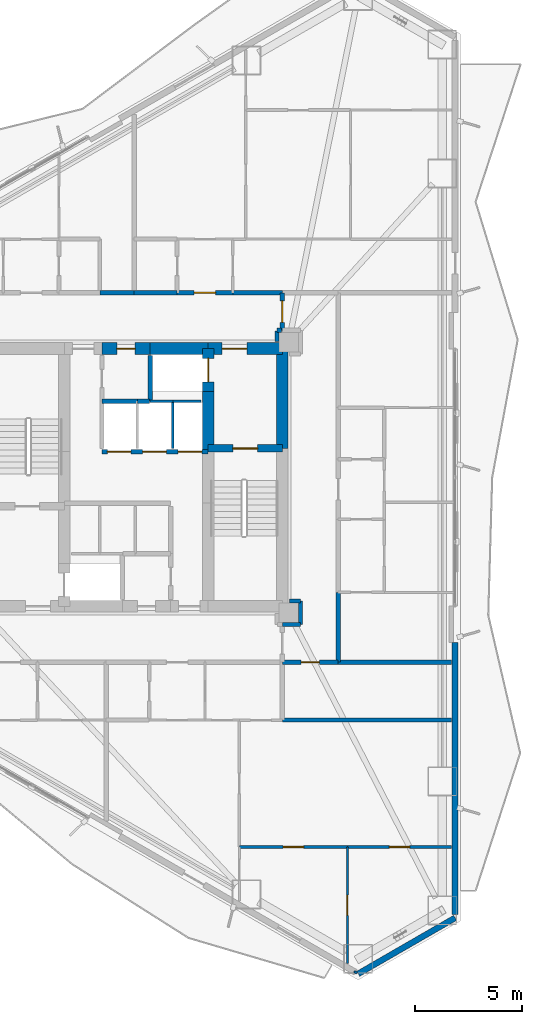
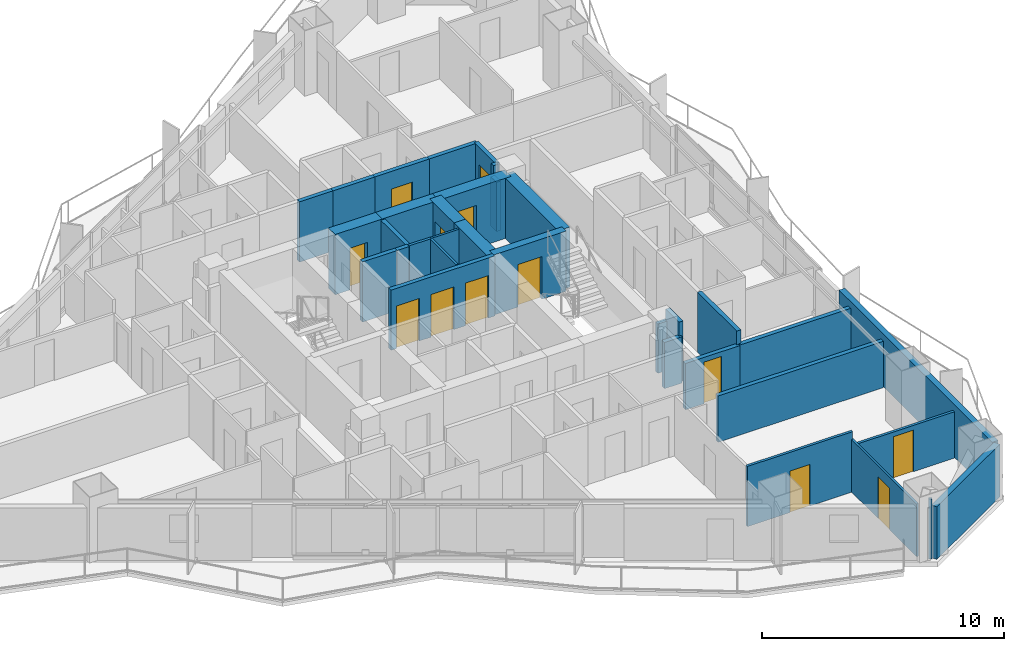
# One storey, part 14 of 18: 34 walls, 13 doors, 13 openings.
"""IFC4 building model written with IfcOpenShell, lengths in metres."""

from ifc_helpers import new_model, si_unit, direction, frame, frame_2d, origin, place, context, subcontext, project, spatial, rectangle, extrude, material, layer, layer_set, type_object, element, fill, save


model = new_model("IFC4")

# Units and contexts
model_context = context("Model", 3, precision=1e-05, world=origin(), true_north=direction((0.0, 1.0)))
body_context = subcontext(model_context, "Body", "Model", "MODEL_VIEW")
ifc_project = project(units=[si_unit("LENGTHUNIT", "METRE"), si_unit("AREAUNIT", "SQUARE_METRE"), si_unit("VOLUMEUNIT", "CUBIC_METRE"), si_unit("PLANEANGLEUNIT", "RADIAN"), si_unit("MASSUNIT", "GRAM", prefix="KILO")], contexts=[model_context])

# Site, building, storey
site_placement = place(None, origin())
site = spatial("IfcSite", under=ifc_project, at=site_placement, CompositionType="ELEMENT")
building_placement = place(site_placement, origin())
building = spatial("IfcBuilding", under=site, at=building_placement, Name="Mersakhor Tower and Convention Hall", CompositionType="ELEMENT")
storey_placement = place(building_placement, frame((0.0, 0.0, 32.39990234375)))
storey = spatial("IfcBuildingStorey", under=building, at=storey_placement, Name="L08", CompositionType="ELEMENT", Elevation=32.39990234375)

# Walls
ifc_material_1 = material(Name="Precast concrete C45/55", Category="concrete")
ifc_layer_1 = layer(ifc_material_1, 0.27490234375)
ifc_layer_set_1 = layer_set([ifc_layer_1], Name="Precast concrete C45/55")
wall_type_1 = type_object("IfcWallType", Name="WL-EXT-275", PredefinedType="SOLIDWALL", material=ifc_layer_set_1)
wall_1_placement = place(storey_placement, frame((43.85009765625, 6.240234375, 0.0), z_axis=(0.0, 0.0, 1.0), x_axis=(-0.866043601342, -0.499968479581, 0.0)))
element("IfcWall", 1, at=wall_1_placement, inside=storey, type_object=wall_type_1, Name="L08 Chamfer Braced Spandrel Wall C2", PredefinedType="SOLIDWALL", context=body_context, shape_type="SweptSolid", body=[
    extrude(rectangle(XDim=5.211181640625, YDim=0.27490234375, at=frame_2d((2.60546875, 0.0))), origin(), (0.0, 0.0, 1.0), 2.66015625),
])
wall_2_placement = place(storey_placement, frame((43.85009765625, 19.0634765625, 0.0), z_axis=(0.0, 0.0, 1.0), x_axis=(0.0, -1.0, 0.0)))
element("IfcWall", 2, at=wall_2_placement, inside=storey, type_object=wall_type_1, Name="L08 Exterior Facade Wall F2-B3", PredefinedType="SOLIDWALL", context=body_context, shape_type="SweptSolid", body=[
    extrude(rectangle(XDim=12.673095703125, YDim=0.27490234375, at=frame_2d((6.33642578125, 0.0))), origin(), (0.0, 0.0, 1.0), 2.66015625),
])
ifc_material_2 = material(Name="Lightweight gypsum partition", Category="other")
ifc_layer_2 = layer(ifc_material_2, 0.10009765625)
ifc_layer_set_2 = layer_set([ifc_layer_2], Name="Lightweight gypsum partition")
wall_type_2 = type_object("IfcWallType", Name="WL-PRT-100", PredefinedType="PARTITIONING", material=ifc_layer_set_2)
wall_3_placement = place(storey_placement, frame((32.02490234375, 30.300048828125, 0.0), z_axis=(0.0, 0.0, 1.0), x_axis=(-1.0, 0.0, 0.0)))
element("IfcWall", 3, at=wall_3_placement, inside=storey, type_object=wall_type_2, Name="L08 Interior Partition Wall P-004", PredefinedType="PARTITIONING", context=body_context, shape_type="SweptSolid", body=[
    extrude(rectangle(XDim=1.324951171875, YDim=0.10009765625, at=frame_2d((0.66259765625, 0.0))), origin(), (0.0, 0.0, 1.0), 3.0400390625),
])
wall_4_placement = place(storey_placement, frame((30.699951171875, 30.300048828125, 0.0), z_axis=(0.0, 0.0, 1.0), x_axis=(0.0, -1.0, 0.0)))
element("IfcWall", 4, at=wall_4_placement, inside=storey, type_object=wall_type_2, Name="L08 Interior Partition Wall P-016", PredefinedType="PARTITIONING", context=body_context, shape_type="SweptSolid", body=[
    extrude(rectangle(XDim=2.199951171875, YDim=0.10009765625, at=frame_2d((1.10009765625, 0.0))), origin(), (0.0, 0.0, 1.0), 3.0400390625),
])

# Wall, opening, door
wall_5_placement = place(storey_placement, frame((38.830078125, 9.5400390625, 0.0), z_axis=(0.0, 0.0, 1.0), x_axis=(0.0, -1.0, 0.0)))
wall_5 = element("IfcWall", 5, at=wall_5_placement, inside=storey, type_object=wall_type_2, Name="L08 Interior Partition Wall P-136", PredefinedType="PARTITIONING", context=body_context, shape_type="SweptSolid", body=[
    extrude(rectangle(XDim=5.42626953125, YDim=0.10009765625, at=frame_2d((2.713134765625, 0.0))), origin(), (0.0, 0.0, 1.0), 2.650390625),
])
opening_1_placement = place(wall_5_placement, frame((2.238037109375, 0.0, 0.0)))
opening_1 = element("IfcOpeningElement", 6, at=opening_1_placement, cuts=wall_5, Name="Opening RD-01", PredefinedType="OPENING", context=body_context, shape_type="SweptSolid", body=[
    extrude(rectangle(XDim=0.949951171875, YDim=2.10009765625, at=frame_2d((0.47509765625, 1.050048828125))), frame((0.0, 0.06005859375, 0.0), z_axis=(0.0, -1.0, 0.0), x_axis=(1.0, 0.0, 0.0)), (0.0, 0.0, 1.0), 0.1201171875),
])
ifc_material_3 = material(Name="Solid-core hardwood leaf in painted steel frame", Category="steel")
door_type_1 = type_object("IfcDoorType", Name="DR-INT-RM-095x210", OperationType="NOTDEFINED", PredefinedType="DOOR", material=ifc_material_3)
door_1_placement = place(opening_1_placement, origin())
door_1 = element("IfcDoor", 7, at=door_1_placement, inside=storey, type_object=door_type_1, Name="L08 L08 Flat S4 Bedroom 1 to L08 Flat S4 Study Room Door", OperationType="SINGLE_SWING_LEFT", OverallHeight=2.10009765625, OverallWidth=0.949951171875, PredefinedType="DOOR", context=body_context, shape_type="SweptSolid", body=[
    extrude(rectangle(XDim=0.949951171875, YDim=2.10009765625, at=frame_2d((0.47509765625, 1.050048828125))), frame((0.0, 0.02490234375, 0.0), z_axis=(0.0, -1.0, 0.0), x_axis=(1.0, 0.0, 0.0)), (0.0, 0.0, 1.0), 0.050048828125),
])
fill(opening_1, door_1)

# Walls
wall_6_placement = place(storey_placement, frame((39.2724609375, 3.672119140625, 0.0), z_axis=(0.0, 0.0, 1.0), x_axis=(-0.866442544969, 0.49927679324, 0.0)))
element("IfcWall", 8, at=wall_6_placement, inside=storey, type_object=wall_type_2, Name="L08 Interior Partition Wall P-138", PredefinedType="PARTITIONING", context=body_context, shape_type="SweptSolid", body=[
    extrude(rectangle(XDim=0.142333984375, YDim=0.10009765625, at=frame_2d((0.0712890625, 0.0))), origin(), (0.0, 0.0, 1.0), 3.0400390625),
])
ifc_material_4 = material(Name="Gypsum board acoustic partition", Category="other")
ifc_layer_3 = layer(ifc_material_4, 0.125)
ifc_layer_set_3 = layer_set([ifc_layer_3], Name="Gypsum board acoustic partition")
wall_type_3 = type_object("IfcWallType", Name="WL-PRT-125", PredefinedType="PARTITIONING", material=ifc_layer_set_3)
wall_7_placement = place(storey_placement, frame((30.699951171875, 30.300048828125, 0.0), z_axis=(0.0, 0.0, 1.0), x_axis=(-1.0, 0.0, 0.0)))
element("IfcWall", 9, at=wall_7_placement, inside=storey, type_object=wall_type_3, Name="L08 Interior Partition Wall P-005", PredefinedType="PARTITIONING", context=body_context, shape_type="SweptSolid", body=[
    extrude(rectangle(XDim=1.050048828125, YDim=0.125, at=frame_2d((0.52490234375, 0.0))), origin(), (0.0, 0.0, 1.0), 3.0400390625),
])

# Wall, opening, door
wall_8_placement = place(storey_placement, frame((33.800048828125, 9.5400390625, 0.0), z_axis=(0.0, 0.0, 1.0), x_axis=(1.0, 0.0, 0.0)))
wall_8 = element("IfcWall", 10, at=wall_8_placement, inside=storey, type_object=wall_type_3, Name="L08 Interior Partition Wall P-135", PredefinedType="PARTITIONING", context=body_context, shape_type="SweptSolid", body=[
    extrude(rectangle(XDim=5.030029296875, YDim=0.125, at=frame_2d((2.51513671875, 0.0))), origin(), (0.0, 0.0, 1.0), 3.0400390625),
])
opening_2_placement = place(wall_8_placement, frame((2.0400390625, 0.0, 0.0)))
opening_2 = element("IfcOpeningElement", 11, at=opening_2_placement, cuts=wall_8, Name="Opening RD-01", PredefinedType="OPENING", context=body_context, shape_type="SweptSolid", body=[
    extrude(rectangle(XDim=0.949951171875, YDim=2.10009765625, at=frame_2d((0.47509765625, 1.050048828125))), frame((0.0, 0.072509765625, 0.0), z_axis=(0.0, -1.0, 0.0), x_axis=(1.0, 0.0, 0.0)), (0.0, 0.0, 1.0), 0.14501953125),
])
door_2_placement = place(opening_2_placement, origin())
door_2 = element("IfcDoor", 12, at=door_2_placement, inside=storey, type_object=door_type_1, Name="L08 L08 Flat S4 Bedroom 1 to L08 Flat S4 Dining Room Door", OperationType="SINGLE_SWING_RIGHT", OverallHeight=2.10009765625, OverallWidth=0.949951171875, PredefinedType="DOOR", context=body_context, shape_type="SweptSolid", body=[
    extrude(rectangle(XDim=0.949951171875, YDim=2.10009765625, at=frame_2d((0.47509765625, 1.050048828125))), frame((0.0, 0.02490234375, 0.0), z_axis=(0.0, -1.0, 0.0), x_axis=(1.0, 0.0, 0.0)), (0.0, 0.0, 1.0), 0.050048828125),
])
fill(opening_2, door_2)

wall_9_placement = place(storey_placement, frame((38.830078125, 9.5400390625, 0.0), z_axis=(0.0, 0.0, 1.0), x_axis=(1.0, 0.0, 0.0)))
wall_9 = element("IfcWall", 13, at=wall_9_placement, inside=storey, type_object=wall_type_3, Name="L08 Interior Partition Wall P-137", PredefinedType="PARTITIONING", context=body_context, shape_type="SweptSolid", body=[
    extrude(rectangle(XDim=4.8583984375, YDim=0.125, at=frame_2d((2.42919921875, 0.0))), origin(), (0.0, 0.0, 1.0), 2.337646484375),
])
opening_3_placement = place(wall_9_placement, frame((1.9541015625, 0.0, 0.0)))
opening_3 = element("IfcOpeningElement", 14, at=opening_3_placement, cuts=wall_9, Name="Opening RD-01", PredefinedType="OPENING", context=body_context, shape_type="SweptSolid", body=[
    extrude(rectangle(XDim=0.949951171875, YDim=2.10009765625, at=frame_2d((0.47509765625, 1.050048828125))), frame((0.0, 0.072509765625, 0.0), z_axis=(0.0, -1.0, 0.0), x_axis=(1.0, 0.0, 0.0)), (0.0, 0.0, 1.0), 0.14501953125),
])
door_3_placement = place(opening_3_placement, origin())
door_3 = element("IfcDoor", 15, at=door_3_placement, inside=storey, type_object=door_type_1, Name="L08 L08 Flat S4 Study Room to L08 Flat S4 Dining Room Door", OperationType="SINGLE_SWING_LEFT", OverallHeight=2.10009765625, OverallWidth=0.949951171875, PredefinedType="DOOR", context=body_context, shape_type="SweptSolid", body=[
    extrude(rectangle(XDim=0.949951171875, YDim=2.10009765625, at=frame_2d((0.47509765625, 1.050048828125))), frame((0.0, 0.02490234375, 0.0), z_axis=(0.0, -1.0, 0.0), x_axis=(1.0, 0.0, 0.0)), (0.0, 0.0, 1.0), 0.050048828125),
])
fill(opening_3, door_3)

# Wall, openings, doors
ifc_material_5 = material(Name="Acoustic concrete blockwork and gypsum board", Category="masonry")
ifc_layer_4 = layer(ifc_material_5, 0.199951171875)
ifc_layer_set_4 = layer_set([ifc_layer_4], Name="Acoustic concrete blockwork and gypsum board")
wall_type_4 = type_object("IfcWallType", Name="WL-PRT-200", PredefinedType="PARTITIONING", material=ifc_layer_set_4)
wall_10_placement = place(storey_placement, frame((27.39990234375, 27.949951171875, 0.0), z_axis=(0.0, 0.0, 1.0), x_axis=(1.0, 0.0, 0.0)))
wall_10 = element("IfcWall", 16, at=wall_10_placement, inside=storey, type_object=wall_type_4, Name="L08 Low-Rise Lift Bank Front Wall", PredefinedType="PARTITIONING", context=body_context, shape_type="SweptSolid", body=[
    extrude(rectangle(XDim=4.9501953125, YDim=0.199951171875, at=frame_2d((2.47509765625, 0.0))), origin(), (0.0, 0.0, 1.0), 3.0400390625),
])
opening_4_placement = place(wall_10_placement, frame((0.25, 0.0, 0.0)))
opening_4 = element("IfcOpeningElement", 17, at=opening_4_placement, cuts=wall_10, Name="Opening LD-P1", PredefinedType="OPENING", context=body_context, shape_type="SweptSolid", body=[
    extrude(rectangle(XDim=1.10009765625, YDim=2.14990234375, at=frame_2d((0.550048828125, 1.074951171875))), frame((0.0, 0.10986328125, 0.0), z_axis=(0.0, -1.0, 0.0), x_axis=(1.0, 0.0, 0.0)), (0.0, 0.0, 1.0), 0.219970703125),
])
opening_5_placement = place(wall_10_placement, frame((1.89990234375, 0.0, 0.0)))
opening_5 = element("IfcOpeningElement", 18, at=opening_5_placement, cuts=wall_10, Name="Opening LD-P2", PredefinedType="OPENING", context=body_context, shape_type="SweptSolid", body=[
    extrude(rectangle(XDim=1.10009765625, YDim=2.14990234375, at=frame_2d((0.550048828125, 1.074951171875))), frame((0.0, 0.10986328125, 0.0), z_axis=(0.0, -1.0, 0.0), x_axis=(1.0, 0.0, 0.0)), (0.0, 0.0, 1.0), 0.219970703125),
])
opening_6_placement = place(wall_10_placement, frame((3.550048828125, 0.0, 0.0)))
opening_6 = element("IfcOpeningElement", 19, at=opening_6_placement, cuts=wall_10, Name="Opening LD-P3", PredefinedType="OPENING", context=body_context, shape_type="SweptSolid", body=[
    extrude(rectangle(XDim=1.10009765625, YDim=2.14990234375, at=frame_2d((0.550048828125, 1.074951171875))), frame((0.0, 0.10986328125, 0.0), z_axis=(0.0, -1.0, 0.0), x_axis=(1.0, 0.0, 0.0)), (0.0, 0.0, 1.0), 0.219970703125),
])
ifc_material_6 = material(Name="Fire-rated brushed stainless steel sliding landing door", Category="steel")
door_type_2 = type_object("IfcDoorType", Name="DR-LIFT-SLD-110x215", OperationType="NOTDEFINED", PredefinedType="DOOR", material=ifc_material_6)
door_4_placement = place(opening_4_placement, origin())
door_4 = element("IfcDoor", 20, at=door_4_placement, inside=storey, type_object=door_type_2, Name="L08 Lift Landing Door LD-P1", OperationType="SLIDING_TO_LEFT", OverallHeight=2.14990234375, OverallWidth=1.10009765625, PredefinedType="DOOR", context=body_context, shape_type="SweptSolid", body=[
    extrude(rectangle(XDim=1.10009765625, YDim=2.14990234375, at=frame_2d((0.550048828125, 1.074951171875))), frame((0.0, 0.02490234375, 0.0), z_axis=(0.0, -1.0, 0.0), x_axis=(1.0, 0.0, 0.0)), (0.0, 0.0, 1.0), 0.050048828125),
])
fill(opening_4, door_4)
door_5_placement = place(opening_5_placement, origin())
door_5 = element("IfcDoor", 21, at=door_5_placement, inside=storey, type_object=door_type_2, Name="L08 Lift Landing Door LD-P2", OperationType="SLIDING_TO_LEFT", OverallHeight=2.14990234375, OverallWidth=1.10009765625, PredefinedType="DOOR", context=body_context, shape_type="SweptSolid", body=[
    extrude(rectangle(XDim=1.10009765625, YDim=2.14990234375, at=frame_2d((0.550048828125, 1.074951171875))), frame((0.0, 0.02490234375, 0.0), z_axis=(0.0, -1.0, 0.0), x_axis=(1.0, 0.0, 0.0)), (0.0, 0.0, 1.0), 0.050048828125),
])
fill(opening_5, door_5)
door_6_placement = place(opening_6_placement, origin())
door_6 = element("IfcDoor", 22, at=door_6_placement, inside=storey, type_object=door_type_2, Name="L08 Lift Landing Door LD-P3", OperationType="SLIDING_TO_LEFT", OverallHeight=2.14990234375, OverallWidth=1.10009765625, PredefinedType="DOOR", context=body_context, shape_type="SweptSolid", body=[
    extrude(rectangle(XDim=1.10009765625, YDim=2.14990234375, at=frame_2d((0.550048828125, 1.074951171875))), frame((0.0, 0.02490234375, 0.0), z_axis=(0.0, -1.0, 0.0), x_axis=(1.0, 0.0, 0.0)), (0.0, 0.0, 1.0), 0.050048828125),
])
fill(opening_6, door_6)

# Walls
wall_11_placement = place(storey_placement, frame((29.64990234375, 30.300048828125, 0.0), z_axis=(0.0, 0.0, 1.0), x_axis=(0.0, 1.0, 0.0)))
element("IfcWall", 23, at=wall_11_placement, inside=storey, type_object=wall_type_4, Name="L08 Interior Partition Wall P-006", PredefinedType="PARTITIONING", context=body_context, shape_type="SweptSolid", body=[
    extrude(rectangle(XDim=2.125, YDim=0.199951171875, at=frame_2d((1.0625, 0.0))), origin(), (0.0, 0.0, 1.0), 3.0400390625),
])
wall_12_placement = place(storey_placement, frame((27.39990234375, 30.300048828125, 0.0), z_axis=(0.0, 0.0, 1.0), x_axis=(1.0, 0.0, 0.0)))
element("IfcWall", 24, at=wall_12_placement, inside=storey, type_object=wall_type_4, Name="L08 Interior Partition Wall P-012", PredefinedType="PARTITIONING", context=body_context, shape_type="SweptSolid", body=[
    extrude(rectangle(XDim=1.650146484375, YDim=0.199951171875, at=frame_2d((0.8251953125, 0.0))), origin(), (0.0, 0.0, 1.0), 3.0400390625),
])
wall_13_placement = place(storey_placement, frame((29.050048828125, 30.300048828125, 0.0), z_axis=(0.0, 0.0, 1.0), x_axis=(1.0, 0.0, 0.0)))
element("IfcWall", 25, at=wall_13_placement, inside=storey, type_object=wall_type_4, Name="L08 Interior Partition Wall P-015", PredefinedType="PARTITIONING", context=body_context, shape_type="SweptSolid", body=[
    extrude(rectangle(XDim=0.570068359375, YDim=0.199951171875, at=frame_2d((0.28515625, 0.0))), origin(), (0.0, 0.0, 1.0), 3.0400390625),
])
wall_14_placement = place(storey_placement, frame((27.300048828125, 35.35009765625, 0.0), z_axis=(0.0, 0.0, 1.0), x_axis=(1.0, 0.0, 0.0)))
element("IfcWall", 26, at=wall_14_placement, inside=storey, type_object=wall_type_4, Name="L08 Interior Partition Wall P-041", PredefinedType="PARTITIONING", context=body_context, shape_type="SweptSolid", body=[
    extrude(rectangle(XDim=1.599853515625, YDim=0.199951171875, at=frame_2d((0.7998046875, 0.0))), origin(), (0.0, 0.0, 1.0), 3.0400390625),
])
wall_15_placement = place(storey_placement, frame((28.89990234375, 35.35009765625, 0.0), z_axis=(0.0, 0.0, 1.0), x_axis=(1.0, 0.0, 0.0)))
element("IfcWall", 27, at=wall_15_placement, inside=storey, type_object=wall_type_4, Name="L08 Interior Partition Wall P-042", PredefinedType="PARTITIONING", context=body_context, shape_type="SweptSolid", body=[
    extrude(rectangle(XDim=2.0, YDim=0.199951171875, at=frame_2d((1.0, 0.0))), origin(), (0.0, 0.0, 1.0), 3.0400390625),
])

# Wall, opening, door
wall_16_placement = place(storey_placement, frame((30.89990234375, 35.35009765625, 0.0), z_axis=(0.0, 0.0, 1.0), x_axis=(1.0, 0.0, 0.0)))
wall_16 = element("IfcWall", 28, at=wall_16_placement, inside=storey, type_object=wall_type_4, Name="L08 Interior Partition Wall P-043", PredefinedType="PARTITIONING", context=body_context, shape_type="SweptSolid", body=[
    extrude(rectangle(XDim=2.60009765625, YDim=0.199951171875, at=frame_2d((1.300048828125, 0.0))), origin(), (0.0, 0.0, 1.0), 3.0400390625),
])
opening_7_placement = place(wall_16_placement, frame((0.800048828125, 0.0, 0.0)))
opening_7 = element("IfcOpeningElement", 29, at=opening_7_placement, cuts=wall_16, Name="Opening FD-01", PredefinedType="OPENING", context=body_context, shape_type="SweptSolid", body=[
    extrude(rectangle(XDim=1.0, YDim=2.14990234375, at=frame_2d((0.5, 1.074951171875))), frame((0.0, 0.10986328125, 0.0), z_axis=(0.0, -1.0, 0.0), x_axis=(1.0, 0.0, 0.0)), (0.0, 0.0, 1.0), 0.219970703125),
])
ifc_material_7 = material(Name="Fire-rated hardwood leaf and painted steel frame", Category="steel")
door_type_3 = type_object("IfcDoorType", Name="DR-INT-FLT-100x215", OperationType="NOTDEFINED", PredefinedType="DOOR", material=ifc_material_7)
door_7_placement = place(opening_7_placement, origin())
door_7 = element("IfcDoor", 30, at=door_7_placement, inside=storey, type_object=door_type_3, Name="L08 Apartment Entrance Door (Residential Ring Corridor to L08 Flat N2 Apartment Hall)", OperationType="SINGLE_SWING_LEFT", OverallHeight=2.14990234375, OverallWidth=1.0, PredefinedType="DOOR", context=body_context, shape_type="SweptSolid", body=[
    extrude(rectangle(XDim=1.0, YDim=2.14990234375, at=frame_2d((0.5, 1.074951171875))), frame((0.0, 0.02490234375, 0.0), z_axis=(0.0, -1.0, 0.0), x_axis=(1.0, 0.0, 0.0)), (0.0, 0.0, 1.0), 0.050048828125),
])
fill(opening_7, door_7)

# Wall
wall_17_placement = place(storey_placement, frame((33.5, 35.35009765625, 0.0), z_axis=(0.0, 0.0, 1.0), x_axis=(1.0, 0.0, 0.0)))
element("IfcWall", 31, at=wall_17_placement, inside=storey, type_object=wall_type_4, Name="L08 Interior Partition Wall P-044", PredefinedType="PARTITIONING", context=body_context, shape_type="SweptSolid", body=[
    extrude(rectangle(XDim=2.300048828125, YDim=0.199951171875, at=frame_2d((1.14990234375, 0.0))), origin(), (0.0, 0.0, 1.0), 3.0400390625),
])

# Wall, opening, door
wall_18_placement = place(storey_placement, frame((35.800048828125, 35.35009765625, 0.0), z_axis=(0.0, 0.0, 1.0), x_axis=(0.0, -1.0, 0.0)))
wall_18 = element("IfcWall", 32, at=wall_18_placement, inside=storey, type_object=wall_type_4, Name="L08 Interior Partition Wall P-045", PredefinedType="PARTITIONING", context=body_context, shape_type="SweptSolid", body=[
    extrude(rectangle(XDim=1.75, YDim=0.199951171875, at=frame_2d((0.875, 0.0))), origin(), (0.0, 0.0, 1.0), 3.0400390625),
])
opening_8_placement = place(wall_18_placement, frame((0.375, 0.0, 0.0)))
opening_8 = element("IfcOpeningElement", 33, at=opening_8_placement, cuts=wall_18, Name="Opening FD-01", PredefinedType="OPENING", context=body_context, shape_type="SweptSolid", body=[
    extrude(rectangle(XDim=1.0, YDim=2.14990234375, at=frame_2d((0.5, 1.074951171875))), frame((0.0, 0.10986328125, 0.0), z_axis=(0.0, -1.0, 0.0), x_axis=(1.0, 0.0, 0.0)), (0.0, 0.0, 1.0), 0.219970703125),
])
door_8_placement = place(opening_8_placement, origin())
door_8 = element("IfcDoor", 34, at=door_8_placement, inside=storey, type_object=door_type_3, Name="L08 Ring Corridor Fire Door", OperationType="SINGLE_SWING_LEFT", OverallHeight=2.14990234375, OverallWidth=1.0, PredefinedType="DOOR", context=body_context, shape_type="SweptSolid", body=[
    extrude(rectangle(XDim=1.0, YDim=2.14990234375, at=frame_2d((0.5, 1.074951171875))), frame((0.0, 0.02490234375, 0.0), z_axis=(0.0, -1.0, 0.0), x_axis=(1.0, 0.0, 0.0)), (0.0, 0.0, 1.0), 0.050048828125),
])
fill(opening_8, door_8)

# Walls
wall_19_placement = place(storey_placement, frame((35.77001953125, 33.60009765625, 0.0), z_axis=(0.0, 0.0, 1.0), x_axis=(-1.0, 0.0, 0.0)))
element("IfcWall", 35, at=wall_19_placement, inside=storey, type_object=wall_type_4, Name="L08 Interior Partition Wall P-046", PredefinedType="PARTITIONING", context=body_context, shape_type="SweptSolid", body=[
    extrude(rectangle(XDim=0.219970703125, YDim=0.199951171875, at=frame_2d((0.10986328125, 0.0))), origin(), (0.0, 0.0, 1.0), 3.0400390625),
])
wall_20_placement = place(storey_placement, frame((35.550048828125, 33.570068359375, 0.0), z_axis=(0.0, 0.0, 1.0), x_axis=(0.0, -1.0, 0.0)))
element("IfcWall", 36, at=wall_20_placement, inside=storey, type_object=wall_type_4, Name="L08 Interior Partition Wall P-047", PredefinedType="PARTITIONING", context=body_context, shape_type="SweptSolid", body=[
    extrude(rectangle(XDim=0.4951171875, YDim=0.199951171875, at=frame_2d((0.24755859375, 0.0))), origin(), (0.0, 0.0, 1.0), 2.48828125),
])
wall_21_placement = place(storey_placement, frame((36.64990234375, 21.0, 0.0), z_axis=(0.0, 0.0, 1.0), x_axis=(-1.0, 0.0, 0.0)))
element("IfcWall", 37, at=wall_21_placement, inside=storey, type_object=wall_type_4, Name="L08 Interior Partition Wall P-054", PredefinedType="PARTITIONING", context=body_context, shape_type="SweptSolid", body=[
    extrude(rectangle(XDim=0.52490234375, YDim=0.199951171875, at=frame_2d((0.262451171875, 0.0))), origin(), (0.0, 0.0, 1.0), 2.48828125),
])
wall_22_placement = place(storey_placement, frame((38.39990234375, 21.39990234375, 0.0), z_axis=(0.0, 0.0, 1.0), x_axis=(0.0, -1.0, 0.0)))
element("IfcWall", 38, at=wall_22_placement, inside=storey, type_object=wall_type_4, Name="L08 Interior Partition Wall P-063", PredefinedType="PARTITIONING", context=body_context, shape_type="SweptSolid", body=[
    extrude(rectangle(XDim=3.25, YDim=0.199951171875, at=frame_2d((1.625, 0.0))), origin(), (0.0, 0.0, 1.0), 3.0400390625),
])

# Wall, opening, door
wall_23_placement = place(storey_placement, frame((38.39990234375, 18.14990234375, 0.0), z_axis=(0.0, 0.0, 1.0), x_axis=(-1.0, 0.0, 0.0)))
wall_23 = element("IfcWall", 39, at=wall_23_placement, inside=storey, type_object=wall_type_4, Name="L08 Interior Partition Wall P-064", PredefinedType="PARTITIONING", context=body_context, shape_type="SweptSolid", body=[
    extrude(rectangle(XDim=2.599853515625, YDim=0.199951171875, at=frame_2d((1.2998046875, 0.0))), origin(), (0.0, 0.0, 1.0), 2.337646484375),
])
opening_9_placement = place(wall_23_placement, frame((0.875, 0.0, 0.0)))
opening_9 = element("IfcOpeningElement", 40, at=opening_9_placement, cuts=wall_23, Name="Opening SVD-01", PredefinedType="OPENING", context=body_context, shape_type="SweptSolid", body=[
    extrude(rectangle(XDim=0.85009765625, YDim=2.10009765625, at=frame_2d((0.425048828125, 1.050048828125))), frame((0.0, 0.10986328125, 0.0), z_axis=(0.0, -1.0, 0.0), x_axis=(1.0, 0.0, 0.0)), (0.0, 0.0, 1.0), 0.219970703125),
])
ifc_material_8 = material(Name="Fire-rated hardwood leaf and painted steel frame", Category="steel")
door_type_4 = type_object("IfcDoorType", Name="DR-INT-SVC-085x210", OperationType="NOTDEFINED", PredefinedType="DOOR", material=ifc_material_8)
door_9_placement = place(opening_9_placement, origin())
door_9 = element("IfcDoor", 41, at=door_9_placement, inside=storey, type_object=door_type_4, Name="L08 Residential Ring East Corridor to L08 South Wing Household Store Room Door", OperationType="SINGLE_SWING_LEFT", OverallHeight=2.10009765625, OverallWidth=0.85009765625, PredefinedType="DOOR", context=body_context, shape_type="SweptSolid", body=[
    extrude(rectangle(XDim=0.85009765625, YDim=2.10009765625, at=frame_2d((0.425048828125, 1.050048828125))), frame((0.0, 0.02490234375, 0.0), z_axis=(0.0, -1.0, 0.0), x_axis=(1.0, 0.0, 0.0)), (0.0, 0.0, 1.0), 0.050048828125),
])
fill(opening_9, door_9)

# Walls
wall_24_placement = place(storey_placement, frame((35.800048828125, 19.89990234375, 0.0), z_axis=(0.0, 0.0, 1.0), x_axis=(1.0, 0.0, 0.0)))
element("IfcWall", 42, at=wall_24_placement, inside=storey, type_object=wall_type_4, Name="L08 Interior Partition Wall P-065", PredefinedType="PARTITIONING", context=body_context, shape_type="SweptSolid", body=[
    extrude(rectangle(XDim=0.849853515625, YDim=0.199951171875, at=frame_2d((0.4248046875, 0.0))), origin(), (0.0, 0.0, 1.0), 2.337646484375),
])
wall_25_placement = place(storey_placement, frame((36.64990234375, 19.89990234375, 0.0), z_axis=(0.0, 0.0, 1.0), x_axis=(0.0, 1.0, 0.0)))
element("IfcWall", 43, at=wall_25_placement, inside=storey, type_object=wall_type_4, Name="L08 Interior Partition Wall P-066", PredefinedType="PARTITIONING", context=body_context, shape_type="SweptSolid", body=[
    extrude(rectangle(XDim=1.10009765625, YDim=0.199951171875, at=frame_2d((0.550048828125, 0.0))), origin(), (0.0, 0.0, 1.0), 3.0400390625),
])
wall_26_placement = place(storey_placement, frame((43.6884765625, 18.14990234375, 0.0), z_axis=(0.0, 0.0, 1.0), x_axis=(-1.0, 0.0, 0.0)))
element("IfcWall", 44, at=wall_26_placement, inside=storey, type_object=wall_type_4, Name="L08 Interior Partition Wall P-121", PredefinedType="PARTITIONING", context=body_context, shape_type="SweptSolid", body=[
    extrude(rectangle(XDim=5.28857421875, YDim=0.199951171875, at=frame_2d((2.644287109375, 0.0))), origin(), (0.0, 0.0, 1.0), 2.364990234375),
])
wall_27_placement = place(storey_placement, frame((43.6884765625, 15.449951171875, 0.0), z_axis=(0.0, 0.0, 1.0), x_axis=(-1.0, 0.0, 0.0)))
element("IfcWall", 45, at=wall_27_placement, inside=storey, type_object=wall_type_4, Name="L08 Interior Partition Wall P-122", PredefinedType="PARTITIONING", context=body_context, shape_type="SweptSolid", body=[
    extrude(rectangle(XDim=7.888427734375, YDim=0.199951171875, at=frame_2d((3.9443359375, 0.0))), origin(), (0.0, 0.0, 1.0), 2.337646484375),
])

# Wall, opening, door
ifc_material_9 = material(Name="Concrete C50/60", Category="concrete")
ifc_layer_5 = layer(ifc_material_9, 0.35009765625)
ifc_layer_set_5 = layer_set([ifc_layer_5], Name="Concrete C50/60")
wall_type_5 = type_object("IfcWallType", Name="WL-SHR-350", PredefinedType="SHEAR", material=ifc_layer_set_5)
wall_28_placement = place(storey_placement, frame((32.35009765625, 28.10009765625, 0.0), z_axis=(0.0, 0.0, 1.0), x_axis=(1.0, 0.0, 0.0)))
wall_28 = element("IfcWall", 46, at=wall_28_placement, inside=storey, type_object=wall_type_5, Name="L08 Core Wall CS-ST2-N", PredefinedType="SHEAR", context=body_context, shape_type="SweptSolid", body=[
    extrude(rectangle(XDim=3.449951171875, YDim=0.35009765625, at=frame_2d((1.72509765625, 0.0))), origin(), (0.0, 0.0, 1.0), 3.0400390625),
])
opening_10_placement = place(wall_28_placement, frame((1.14990234375, 0.0, 0.0)))
opening_10 = element("IfcOpeningElement", 47, at=opening_10_placement, cuts=wall_28, Name="Opening SD-01", PredefinedType="OPENING", context=body_context, shape_type="SweptSolid", body=[
    extrude(rectangle(XDim=1.14990234375, YDim=2.14990234375, at=frame_2d((0.574951171875, 1.074951171875))), frame((0.0, 0.18505859375, 0.0), z_axis=(0.0, -1.0, 0.0), x_axis=(1.0, 0.0, 0.0)), (0.0, 0.0, 1.0), 0.3701171875),
])
ifc_material_10 = material(Name="Fire-rated hardwood leaf and painted steel frame", Category="steel")
door_type_5 = type_object("IfcDoorType", Name="DR-INT-STAIR-115x215", OperationType="NOTDEFINED", PredefinedType="DOOR", material=ifc_material_10)
door_10_placement = place(opening_10_placement, origin())
door_10 = element("IfcDoor", 48, at=door_10_placement, inside=storey, type_object=door_type_5, Name="L08 Exit Stair ST-2 Enclosure Door", OperationType="SINGLE_SWING_RIGHT", OverallHeight=2.14990234375, OverallWidth=1.14990234375, PredefinedType="DOOR", context=body_context, shape_type="SweptSolid", body=[
    extrude(rectangle(XDim=1.14990234375, YDim=2.14990234375, at=frame_2d((0.574951171875, 1.074951171875))), frame((0.0, 0.02490234375, 0.0), z_axis=(0.0, -1.0, 0.0), x_axis=(1.0, 0.0, 0.0)), (0.0, 0.0, 1.0), 0.050048828125),
])
fill(opening_10, door_10)

ifc_material_11 = material(Name="Concrete C70/85", Category="concrete")
ifc_layer_6 = layer(ifc_material_11, 0.550048828125)
ifc_layer_set_6 = layer_set([ifc_layer_6], Name="Concrete C70/85")
wall_type_6 = type_object("IfcWallType", Name="WL-SHR-550", PredefinedType="SHEAR", material=ifc_layer_set_6)
wall_29_placement = place(storey_placement, frame((27.39990234375, 32.75, 0.0), z_axis=(0.0, 0.0, 1.0), x_axis=(1.0, 0.0, 0.0)))
wall_29 = element("IfcWall", 49, at=wall_29_placement, inside=storey, type_object=wall_type_6, Name="L08 Core Wall CW-N2B", PredefinedType="SHEAR", context=body_context, shape_type="SweptSolid", body=[
    extrude(rectangle(XDim=2.25, YDim=0.550048828125, at=frame_2d((1.125, 0.0))), origin(), (0.0, 0.0, 1.0), 3.0400390625),
])
opening_11_placement = place(wall_29_placement, frame((0.699951171875, 0.0, 0.0)))
opening_11 = element("IfcOpeningElement", 50, at=opening_11_placement, cuts=wall_29, Name="Opening SVD-01", PredefinedType="OPENING", context=body_context, shape_type="SweptSolid", body=[
    extrude(rectangle(XDim=0.85009765625, YDim=2.10009765625, at=frame_2d((0.425048828125, 1.050048828125))), frame((0.0, 0.284912109375, 0.0), z_axis=(0.0, -1.0, 0.0), x_axis=(1.0, 0.0, 0.0)), (0.0, 0.0, 1.0), 0.570068359375),
])
door_11_placement = place(opening_11_placement, origin())
door_11 = element("IfcDoor", 51, at=door_11_placement, inside=storey, type_object=door_type_4, Name="L08 Residential Ring Corridor to Telecoms and BMS Riser Room Door", OperationType="SINGLE_SWING_LEFT", OverallHeight=2.10009765625, OverallWidth=0.85009765625, PredefinedType="DOOR", context=body_context, shape_type="SweptSolid", body=[
    extrude(rectangle(XDim=0.85009765625, YDim=2.10009765625, at=frame_2d((0.425048828125, 1.050048828125))), frame((0.0, 0.02490234375, 0.0), z_axis=(0.0, -1.0, 0.0), x_axis=(1.0, 0.0, 0.0)), (0.0, 0.0, 1.0), 0.050048828125),
])
fill(opening_11, door_11)

# Wall
wall_30_placement = place(storey_placement, frame((29.64990234375, 32.75, 0.0), z_axis=(0.0, 0.0, 1.0), x_axis=(1.0, 0.0, 0.0)))
element("IfcWall", 52, at=wall_30_placement, inside=storey, type_object=wall_type_6, Name="L08 Core Wall CW-N3", PredefinedType="SHEAR", context=body_context, shape_type="SweptSolid", body=[
    extrude(rectangle(XDim=2.7001953125, YDim=0.550048828125, at=frame_2d((1.35009765625, 0.0))), origin(), (0.0, 0.0, 1.0), 3.0400390625),
])

# Wall, opening, door
wall_31_placement = place(storey_placement, frame((32.35009765625, 32.75, 0.0), z_axis=(0.0, 0.0, 1.0), x_axis=(1.0, 0.0, 0.0)))
wall_31 = element("IfcWall", 53, at=wall_31_placement, inside=storey, type_object=wall_type_6, Name="L08 Core Wall CW-N4", PredefinedType="SHEAR", context=body_context, shape_type="SweptSolid", body=[
    extrude(rectangle(XDim=3.449951171875, YDim=0.550048828125, at=frame_2d((1.72509765625, 0.0))), origin(), (0.0, 0.0, 1.0), 3.0400390625),
])
opening_12_placement = place(wall_31_placement, frame((0.64990234375, 0.0, 0.0)))
opening_12 = element("IfcOpeningElement", 54, at=opening_12_placement, cuts=wall_31, Name="Opening SD-01", PredefinedType="OPENING", context=body_context, shape_type="SweptSolid", body=[
    extrude(rectangle(XDim=1.14990234375, YDim=2.14990234375, at=frame_2d((0.574951171875, 1.074951171875))), frame((0.0, 0.284912109375, 0.0), z_axis=(0.0, -1.0, 0.0), x_axis=(1.0, 0.0, 0.0)), (0.0, 0.0, 1.0), 0.570068359375),
])
door_12_placement = place(opening_12_placement, origin())
door_12 = element("IfcDoor", 55, at=door_12_placement, inside=storey, type_object=door_type_5, Name="L08 Firefighting Lobby East Fire Door", OperationType="SINGLE_SWING_RIGHT", OverallHeight=2.14990234375, OverallWidth=1.14990234375, PredefinedType="DOOR", context=body_context, shape_type="SweptSolid", body=[
    extrude(rectangle(XDim=1.14990234375, YDim=2.14990234375, at=frame_2d((0.574951171875, 1.074951171875))), frame((0.0, 0.02490234375, 0.0), z_axis=(0.0, -1.0, 0.0), x_axis=(1.0, 0.0, 0.0)), (0.0, 0.0, 1.0), 0.050048828125),
])
fill(opening_12, door_12)

# Walls
wall_32_placement = place(storey_placement, frame((35.800048828125, 32.75, 0.0), z_axis=(0.0, 0.0, 1.0), x_axis=(0.0, -1.0, 0.0)))
element("IfcWall", 56, at=wall_32_placement, inside=storey, type_object=wall_type_6, Name="L08 Core Wall CW-E1", PredefinedType="SHEAR", context=body_context, shape_type="SweptSolid", body=[
    extrude(rectangle(XDim=4.64990234375, YDim=0.550048828125, at=frame_2d((2.324951171875, 0.0))), origin(), (0.0, 0.0, 1.0), 3.0400390625),
])
wall_33_placement = place(storey_placement, frame((32.35009765625, 27.949951171875, 0.0), z_axis=(0.0, 0.0, 1.0), x_axis=(0.0, 1.0, 0.0)))
element("IfcWall", 57, at=wall_33_placement, inside=storey, type_object=wall_type_6, Name="L08 Core Wall CS-E-MID", PredefinedType="SHEAR", context=body_context, shape_type="SweptSolid", body=[
    extrude(rectangle(XDim=2.800048828125, YDim=0.550048828125, at=frame_2d((1.39990234375, 0.0))), origin(), (0.0, 0.0, 1.0), 3.0400390625),
])

# Wall, opening, door
wall_34_placement = place(storey_placement, frame((32.35009765625, 30.75, 0.0), z_axis=(0.0, 0.0, 1.0), x_axis=(0.0, 1.0, 0.0)))
wall_34 = element("IfcWall", 58, at=wall_34_placement, inside=storey, type_object=wall_type_6, Name="L08 Core Wall CS-E-FFL", PredefinedType="SHEAR", context=body_context, shape_type="SweptSolid", body=[
    extrude(rectangle(XDim=2.0, YDim=0.550048828125, at=frame_2d((1.0, 0.0))), origin(), (0.0, 0.0, 1.0), 3.0400390625),
])
opening_13_placement = place(wall_34_placement, frame((0.449951171875, 0.0, 0.0)))
opening_13 = element("IfcOpeningElement", 59, at=opening_13_placement, cuts=wall_34, Name="Opening LD-FFL2", PredefinedType="OPENING", context=body_context, shape_type="SweptSolid", body=[
    extrude(rectangle(XDim=1.10009765625, YDim=2.14990234375, at=frame_2d((0.550048828125, 1.074951171875))), frame((0.0, 0.284912109375, 0.0), z_axis=(0.0, -1.0, 0.0), x_axis=(1.0, 0.0, 0.0)), (0.0, 0.0, 1.0), 0.570068359375),
])
door_13_placement = place(opening_13_placement, origin())
door_13 = element("IfcDoor", 60, at=door_13_placement, inside=storey, type_object=door_type_2, Name="L08 Firefighting Lift Landing Door LD-FFL2", OperationType="SLIDING_TO_LEFT", OverallHeight=2.14990234375, OverallWidth=1.10009765625, PredefinedType="DOOR", context=body_context, shape_type="SweptSolid", body=[
    extrude(rectangle(XDim=1.10009765625, YDim=2.14990234375, at=frame_2d((0.550048828125, 1.074951171875))), frame((0.0, 0.02490234375, 0.0), z_axis=(0.0, -1.0, 0.0), x_axis=(1.0, 0.0, 0.0)), (0.0, 0.0, 1.0), 0.050048828125),
])
fill(opening_13, door_13)

save(model, "model.ifc")
